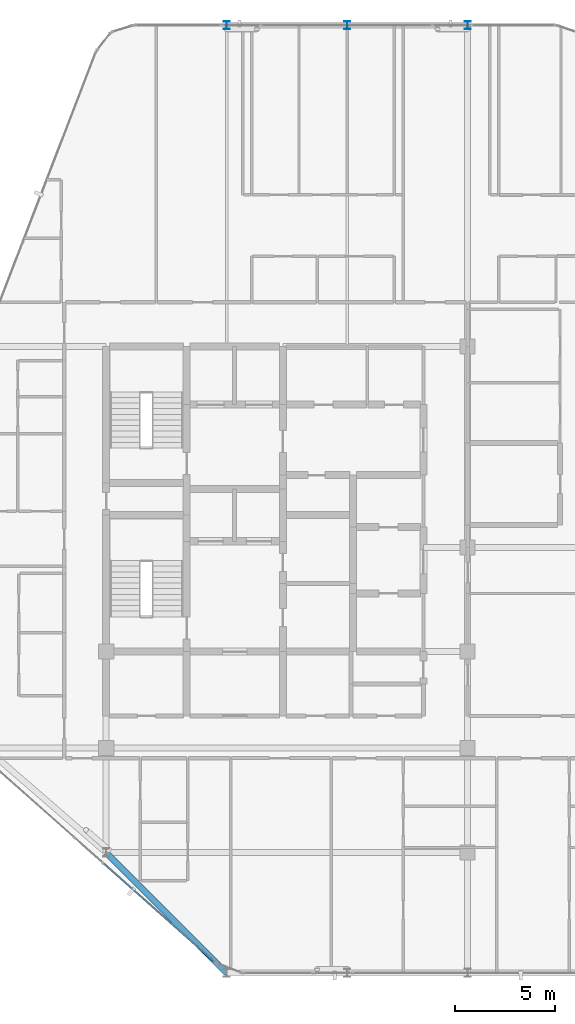
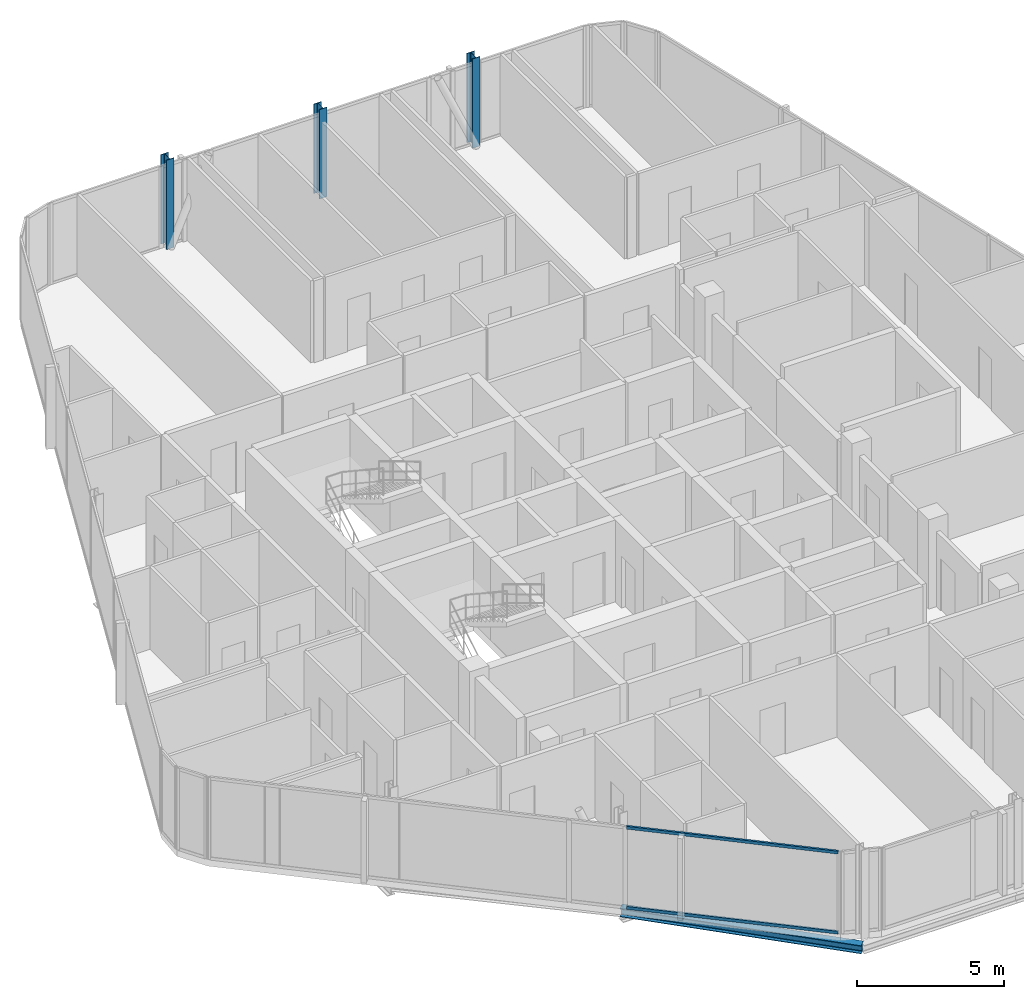
# One storey, part 2 of 28: 3 columns, 2 members, 1 beam, 1 element without a shape of its own.
"""IFC4 building model written with IfcOpenShell, lengths in metres."""

import ifcopenshell
import ifcopenshell.guid

model = None  # the IFC model being written
_history = None  # IfcOwnerHistory: only IFC2X3 demands one
_inside = {}  # id of a spatial element -> (the spatial element, [elements in it])
_under = {}  # id of a project, library or spatial element -> (it, [spatial elements below it])
_declared = {}  # id of a project -> (the project, [libraries it declares])
_typed = {}  # id of a type object -> (the type object, [elements of that type])
_made_of = {}  # id of a material, layer set ... -> (it, [elements and type objects made of it])


def new_model(schema):
    """Start an empty IFC model of exactly this schema.

    Asked for "IFC4X3", IfcOpenShell would pick the latest addendum, in which some entities
    have other attributes; the version numbers below select the first issue.
    IFC2X3 requires an IfcOwnerHistory on every rooted entity: one is made here for all.
    """
    global model, _history
    if schema == "IFC4X3":
        model = ifcopenshell.file(schema_version=(4, 3, 0, 0))
    else:
        model = ifcopenshell.file(schema=schema)
    _inside.clear()
    _under.clear()
    _declared.clear()
    _typed.clear()
    _made_of.clear()
    _history = None
    if model.schema == "IFC2X3":
        org = make("IfcOrganization", Name="unknown")
        user = make(
            "IfcPersonAndOrganization",
            ThePerson=make("IfcPerson", FamilyName="unknown"),
            TheOrganization=org,
        )
        app = make(
            "IfcApplication",
            ApplicationDeveloper=org,
            Version="unknown",
            ApplicationFullName="unknown",
            ApplicationIdentifier="unknown",
        )
        _history = make(
            "IfcOwnerHistory",
            OwningUser=user,
            OwningApplication=app,
            ChangeAction="ADDED",
            CreationDate=0,
        )
    return model


def make(cls, **values):
    """One entity of the class cls with the attributes given. An attribute that is None is left unset."""
    return model.create_entity(
        cls, **{name: value for name, value in values.items() if value is not None}
    )


def rooted(cls, **values):
    """An entity with a GlobalId (a new one), such as an element, a storey or a relation."""
    return make(cls, GlobalId=ifcopenshell.guid.new(), OwnerHistory=_history, **values)


def si_unit(unit_type, name, prefix=None):
    """IfcSIUnit, for example si_unit("LENGTHUNIT", "METRE", prefix="MILLI")."""
    return make("IfcSIUnit", UnitType=unit_type, Prefix=prefix, Name=name)


def assignment(units):
    """IfcUnitAssignment: the units of a project."""
    return None if units is None else make("IfcUnitAssignment", Units=units)


def point(xyz):
    """IfcCartesianPoint."""
    return None if xyz is None else make("IfcCartesianPoint", Coordinates=xyz)


def direction(xyz):
    """IfcDirection."""
    return None if xyz is None else make("IfcDirection", DirectionRatios=xyz)


def frame(location, z_axis=None, x_axis=None):
    """IfcAxis2Placement3D, a coordinate frame: its origin and axes. An axis left out is left unset."""
    return make(
        "IfcAxis2Placement3D",
        Location=point(location),
        Axis=direction(z_axis),
        RefDirection=direction(x_axis),
    )


def frame_2d(location, x_axis=None):
    """IfcAxis2Placement2D, a coordinate frame in the plane: its origin and x axis."""
    return make(
        "IfcAxis2Placement2D", Location=point(location), RefDirection=direction(x_axis)
    )


def origin():
    """The frame at (0, 0, 0) with its axes left unset."""
    return frame((0.0, 0.0, 0.0))


def origin_2d():
    """The frame at (0, 0) in the plane with its x axis left unset."""
    return frame_2d((0.0, 0.0))


def place(relative_to, where):
    """IfcLocalPlacement: puts the frame where relative to a parent placement (None: the world)."""
    return make(
        "IfcLocalPlacement", PlacementRelTo=relative_to, RelativePlacement=where
    )


def context(
    kind, dimensions, precision=None, world=None, true_north=None, identifier=None
):
    """IfcGeometricRepresentationContext, for example the 3D "Model" context."""
    return make(
        "IfcGeometricRepresentationContext",
        ContextIdentifier=identifier,
        ContextType=kind,
        CoordinateSpaceDimension=dimensions,
        Precision=precision,
        WorldCoordinateSystem=world,
        TrueNorth=true_north,
    )


def subcontext(parent, identifier, kind, view, scale=None):
    """IfcGeometricRepresentationSubContext, for example "Body" below "Model"."""
    return make(
        "IfcGeometricRepresentationSubContext",
        ContextIdentifier=identifier,
        ContextType=kind,
        ParentContext=parent,
        TargetScale=scale,
        TargetView=view,
    )


def project(units=None, contexts=None):
    """IfcProject with its units and contexts."""
    return rooted(
        "IfcProject",
        Name="project",
        RepresentationContexts=contexts,
        UnitsInContext=assignment(units),
    )


def spatial(cls, under=None, at=None, **own):
    """A site, building, storey or space (cls), placed at a placement, below another one or the project."""
    s = rooted(cls, ObjectPlacement=at, **own)
    if under is not None:
        _under.setdefault(under.id(), (under, []))[1].append(s)
    return s


def profile(cls, at=None, kind="AREA", **sizes):
    """A parametric profile (cls). Its sizes go by their IFC names, for example OverallWidth=200.0."""
    return make(cls, ProfileType=kind, Position=at, **sizes)


def hollow_rectangle(**sizes):
    """IfcRectangleHollowProfileDef."""
    return profile("IfcRectangleHollowProfileDef", **sizes)


def i_section(**sizes):
    """IfcIShapeProfileDef."""
    return profile("IfcIShapeProfileDef", **sizes)


def extrude(swept, where, along, depth):
    """IfcExtrudedAreaSolid: the profile swept, set in the frame where, extruded along a direction by depth."""
    return make(
        "IfcExtrudedAreaSolid",
        SweptArea=swept,
        Position=where,
        ExtrudedDirection=direction(along),
        Depth=depth,
    )


def shape(context_of_items, identifier, shape_type, items):
    """IfcShapeRepresentation: the items that make up one representation, for example the "Body"."""
    return make(
        "IfcShapeRepresentation",
        ContextOfItems=context_of_items,
        RepresentationIdentifier=identifier,
        RepresentationType=shape_type,
        Items=items,
    )


def material(Name=None, Category=None):
    """IfcMaterial."""
    return make("IfcMaterial", Name=Name, Category=Category)


def layer(
    of_material, thickness, ventilated=None, Name=None, Category=None, Priority=None
):
    """IfcMaterialLayer: one layer of a wall or slab, of a material (None: an air gap)."""
    return make(
        "IfcMaterialLayer",
        Material=of_material,
        LayerThickness=thickness,
        IsVentilated=ventilated,
        Name=Name,
        Category=Category,
        Priority=Priority,
    )


def layer_set(layers, Name=None):
    """IfcMaterialLayerSet."""
    return make("IfcMaterialLayerSet", MaterialLayers=layers, LayerSetName=Name)


def material_profile(
    of_material, cross_section, Name=None, Category=None, Priority=None
):
    """IfcMaterialProfile: a cross section and its material."""
    return make(
        "IfcMaterialProfile",
        Name=Name,
        Material=of_material,
        Profile=cross_section,
        Priority=Priority,
        Category=Category,
    )


def profile_set(profiles, Name=None, composite=None):
    """IfcMaterialProfileSet."""
    return make(
        "IfcMaterialProfileSet",
        Name=Name,
        MaterialProfiles=profiles,
        CompositeProfile=composite,
    )


def made_of(thing, what):
    """Note that an element or type object is made of a material, layer set ...; save() writes the relation."""
    if what is not None:
        _made_of.setdefault(what.id(), (what, []))[1].append(thing)
    return thing


def type_object(cls, material=None, **own):
    """A type object (cls), such as IfcWallType, which elements share."""
    return made_of(rooted(cls, **own), material)


def element(
    cls,
    number,
    at=None,
    inside=None,
    cuts=None,
    type_object=None,
    material=None,
    context=None,
    identifier="Body",
    shape_type=None,
    held_by="IfcProductDefinitionShape",
    body=None,
    shapes=None,
    **own,
):
    """One element of the class cls, such as IfcWall. Its Tag is "e" and its number.

    at: its placement. inside: the storey or other place that contains it. cuts: it is an
    opening in that element (IfcRelVoidsElement). A single representation is given by context,
    identifier, shape_type and body (its items); several are given by shapes. held_by: the class
    of the entity that holds the representations. save() writes the other relations.
    """
    e = rooted(cls, Tag="e%d" % number, ObjectPlacement=at, **own)
    if body is not None:
        shapes = [shape(context, identifier, shape_type, body)]
    if shapes is not None:
        e.Representation = make(held_by, Representations=shapes)
    if inside is not None:
        _inside.setdefault(inside.id(), (inside, []))[1].append(e)
    if cuts is not None:
        rooted(
            "IfcRelVoidsElement", RelatingBuildingElement=cuts, RelatedOpeningElement=e
        )
    if type_object is not None:
        _typed.setdefault(type_object.id(), (type_object, []))[1].append(e)
    return made_of(e, material)


def aggregate(whole, parts):
    """IfcRelAggregates: a whole, such as a stair, and the parts it consists of."""
    return rooted("IfcRelAggregates", RelatingObject=whole, RelatedObjects=parts)


def save(model, path):
    """Write the relations noted so far, then the file.

    IfcRelAggregates (storeys below a building ...), IfcRelContainedInSpatialStructure (elements
    in a storey), IfcRelDefinesByType, IfcRelAssociatesMaterial and IfcRelDeclares: one each for
    every whole, place, type object, material and project.
    """
    for whole, parts in _under.values():
        aggregate(whole, parts)
    for where, things in _inside.values():
        rooted(
            "IfcRelContainedInSpatialStructure",
            RelatedElements=things,
            RelatingStructure=where,
        )
    for kind, things in _typed.values():
        rooted("IfcRelDefinesByType", RelatedObjects=things, RelatingType=kind)
    for what, things in _made_of.values():
        rooted("IfcRelAssociatesMaterial", RelatedObjects=things, RelatingMaterial=what)
    for by, libraries in _declared.values():
        rooted("IfcRelDeclares", RelatingContext=by, RelatedDefinitions=libraries)
    model.write(path)


model = new_model("IFC4")

# Units and contexts
model_context = context("Model", 3, precision=1e-05, world=origin(), true_north=direction((0.0, 1.0)))
body_context = subcontext(model_context, "Body", "Model", "MODEL_VIEW")
ifc_project = project(units=[si_unit("LENGTHUNIT", "METRE"), si_unit("AREAUNIT", "SQUARE_METRE"), si_unit("VOLUMEUNIT", "CUBIC_METRE"), si_unit("PLANEANGLEUNIT", "RADIAN"), si_unit("MASSUNIT", "GRAM", prefix="KILO")], contexts=[model_context])

# Site, building, storey
site_placement = place(None, origin())
site = spatial("IfcSite", under=ifc_project, at=site_placement, CompositionType="ELEMENT")
building_placement = place(site_placement, origin())
building = spatial("IfcBuilding", under=site, at=building_placement, Name="Keshet Zoharim Tower", CompositionType="ELEMENT")
storey_placement = place(building_placement, frame((0.0, 0.0, 265.800048828125)))
storey = spatial("IfcBuildingStorey", under=building, at=storey_placement, Name="L66", CompositionType="ELEMENT", Elevation=265.800048828125)

# Columns
ifc_material_1 = material(Name="Steel S355", Category="steel")
ifc_material_profile_1 = material_profile(ifc_material_1, i_section(OverallWidth=0.300048828125, OverallDepth=0.39990234375, WebThickness=0.013427734375, FlangeThickness=0.02392578125, FilletRadius=0.027099609375, at=origin_2d()), Name="HEB400")
ifc_profile_set_1 = profile_set([ifc_material_profile_1], Name="Steel S355")
column_type = type_object("IfcColumnType", Name="COL-HEB400", PredefinedType="COLUMN", material=ifc_profile_set_1)
for number, where, z_axis, x_axis, name in (
    (1, (21.0, 53.89990234375, 0.0), (0.0, 0.0, 1.0), (1.0, 0.0, 0.0), "L66 Column 4L"),
    (2, (27.0, 53.89990234375, 0.0), (0.0, 0.0, 1.0), (1.0, 0.0, 0.0), "L66 Column 5L"),
    (3, (33.0, 53.89990234375, 0.0), (0.0, 0.0, 1.0), (1.0, 0.0, 0.0), "L66 Column 6L"),
):
    element("IfcColumn", number, at=place(storey_placement, frame(where, z_axis=z_axis, x_axis=x_axis)), inside=storey, type_object=column_type, Name=name, PredefinedType="COLUMN", context=body_context, shape_type="SweptSolid", body=[
        extrude(i_section(OverallWidth=0.300048828125, OverallDepth=0.39990234375, WebThickness=0.013427734375, FlangeThickness=0.02392578125, FilletRadius=0.027099609375, at=origin_2d()), origin(), (0.0, 0.0, 1.0), 3.699951171875),
    ])

# Beam
ifc_material_profile_2 = material_profile(ifc_material_1, i_section(OverallWidth=0.300048828125, OverallDepth=0.340087890625, WebThickness=0.011962890625, FlangeThickness=0.021484375, FilletRadius=0.027099609375, at=origin_2d()), Name="HEB340")
ifc_profile_set_2 = profile_set([ifc_material_profile_2], Name="Steel S355")
beam_type = type_object("IfcBeamType", Name="BM-SPN-HB340", PredefinedType="SPANDREL", material=ifc_profile_set_2)
beam_placement = place(storey_placement, frame((21.0, 6.699951171875, -0.47998046875), z_axis=(-0.707106781187, 0.707106781187, 0.0), x_axis=(-0.707106781187, -0.707106781187, 0.0)))
element("IfcBeam", 4, at=beam_placement, inside=storey, type_object=beam_type, Name="L66 Perimeter Spandrel Beam 01", PredefinedType="SPANDREL", context=body_context, shape_type="SweptSolid", body=[
    extrude(i_section(OverallWidth=0.300048828125, OverallDepth=0.340087890625, WebThickness=0.011962890625, FlangeThickness=0.021484375, FilletRadius=0.027099609375, at=origin_2d()), origin(), (0.0, 0.0, 1.0), 8.4853515625),
])

# Curtain wall, members
ifc_material_2 = material(Name="Aluminium 6063-T6", Category="aluminium")
ifc_layer = layer(ifc_material_2, 0.260009765625)
ifc_layer_set = layer_set([ifc_layer], Name="Aluminium 6063-T6")
curtain_wall_type = type_object("IfcCurtainWallType", Name="CW-SYS-06", PredefinedType="NOTDEFINED", material=ifc_layer_set)
curtain_wall_placement = place(storey_placement, origin())
curtain_wall = element("IfcCurtainWall", 5, at=curtain_wall_placement, inside=storey, type_object=curtain_wall_type, Name="L66 Unitised Curtain Wall 16", PredefinedType="NOTDEFINED")
ifc_material_profile_3 = material_profile(ifc_material_2, hollow_rectangle(XDim=0.074951171875, YDim=0.1201171875, WallThickness=0.00390625, at=origin_2d()), Name="TRN-75x120")
ifc_profile_set_3 = profile_set([ifc_material_profile_3], Name="Aluminium 6063-T6")
member_type = type_object("IfcMemberType", Name="CWT-T12", PredefinedType="USERDEFINED", material=ifc_profile_set_3)
member_1_placement = place(storey_placement, frame((20.379638671875, 7.25146484375, 0.034912109375), z_axis=(-0.747412985939, 0.664359713145, 0.0), x_axis=(-0.664359713145, -0.747412985939, 0.0)))
member_1 = element("IfcMember", 6, at=member_1_placement, type_object=member_type, Name="CW-06 transom 1.1", ObjectType="TRANSOM", PredefinedType="USERDEFINED", context=body_context, shape_type="SweptSolid", body=[
    extrude(hollow_rectangle(XDim=0.074951171875, YDim=0.1201171875, WallThickness=0.00390625, at=origin_2d()), origin(), (0.0, 0.0, 1.0), 7.345947265625),
])
member_2_placement = place(storey_placement, frame((20.379638671875, 7.25146484375, 3.35498046875), z_axis=(-0.747412985939, 0.664359713145, 0.0), x_axis=(-0.664359713145, -0.747412985939, 0.0)))
member_2 = element("IfcMember", 7, at=member_2_placement, type_object=member_type, Name="CW-06 transom 1.2", ObjectType="TRANSOM", PredefinedType="USERDEFINED", context=body_context, shape_type="SweptSolid", body=[
    extrude(hollow_rectangle(XDim=0.074951171875, YDim=0.1201171875, WallThickness=0.00390625, at=origin_2d()), origin(), (0.0, 0.0, 1.0), 7.345947265625),
])
aggregate(curtain_wall, [member_1, member_2])

save(model, "model.ifc")
